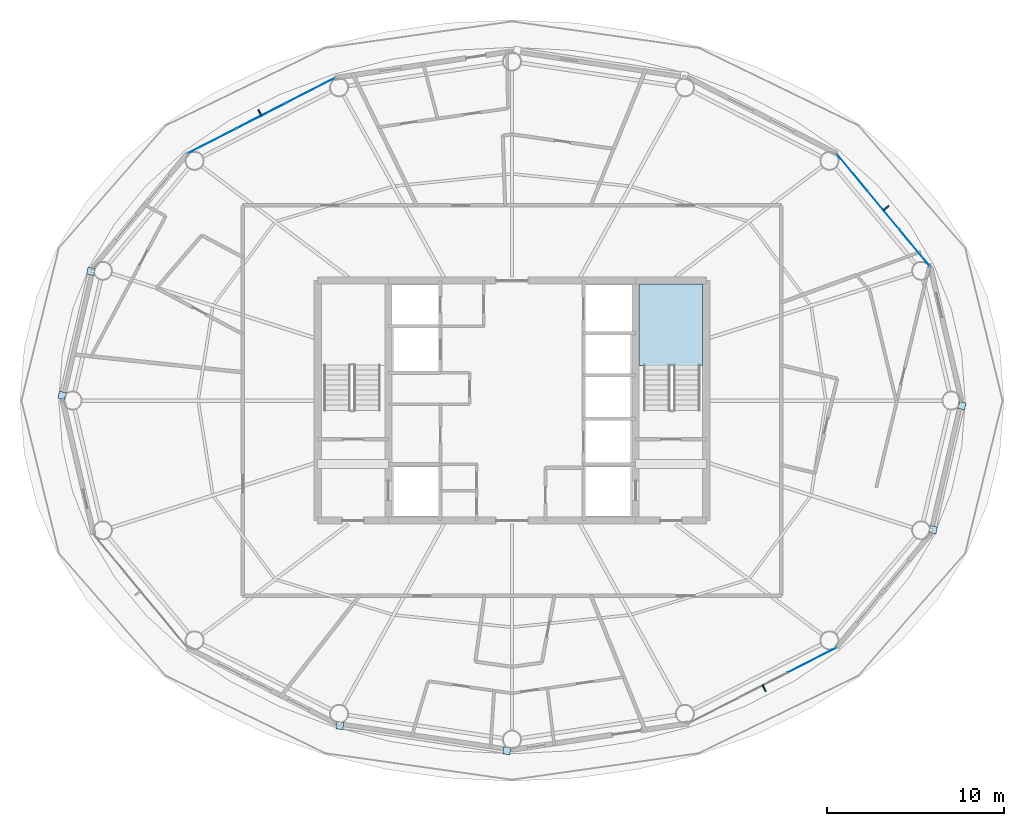
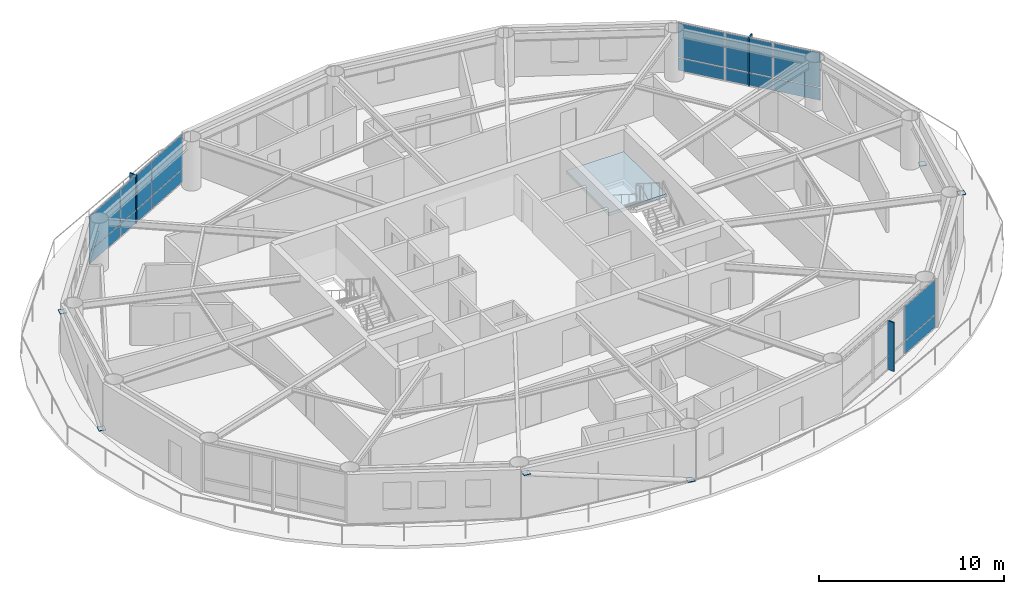
# One storey, part 17 of 24: 23 plates, 1 slab, 4 elements without a shape of their own.
"""IFC4 building model written with IfcOpenShell, lengths in metres."""

from ifc_helpers import new_model, si_unit, direction, frame, origin, origin_2d, place, context, subcontext, project, spatial, polyline, rectangle, outline, extrude, material, layer, layer_set, type_object, element, aggregate, save


model = new_model("IFC4")

# Units and contexts
model_context = context("Model", 3, precision=1e-05, world=origin(), true_north=direction((0.0, 1.0)))
body_context = subcontext(model_context, "Body", "Model", "MODEL_VIEW")
ifc_project = project(units=[si_unit("LENGTHUNIT", "METRE"), si_unit("AREAUNIT", "SQUARE_METRE"), si_unit("VOLUMEUNIT", "CUBIC_METRE"), si_unit("PLANEANGLEUNIT", "RADIAN"), si_unit("MASSUNIT", "GRAM", prefix="KILO")], contexts=[model_context])

# Site, building, storey
site_placement = place(None, origin())
site = spatial("IfcSite", under=ifc_project, at=site_placement, CompositionType="ELEMENT")
building_placement = place(site_placement, origin())
building = spatial("IfcBuilding", under=site, at=building_placement, Name="Sarneth Arch Tower", CompositionType="ELEMENT")
storey_placement = place(building_placement, frame((0.0, 0.0, 253.199951171875)))
storey = spatial("IfcBuildingStorey", under=building, at=storey_placement, Name="L65", CompositionType="ELEMENT", Elevation=253.199951171875)

# Curtain wall, plates
ifc_material_1 = material(Name="Anodised aluminium Type AA25 and solar-control low-e laminated IGU", Category="aluminium")
ifc_layer_1 = layer(ifc_material_1, 0.179931640625)
ifc_layer_set_1 = layer_set([ifc_layer_1], Name="Anodised aluminium Type AA25 and solar-control low-e laminated IGU")
curtain_wall_type = type_object("IfcCurtainWallType", Name="CW-RES-HIGH", PredefinedType="NOTDEFINED", material=ifc_layer_set_1)
curtain_wall_1_placement = place(storey_placement, origin())
curtain_wall_1 = element("IfcCurtainWall", 1, at=curtain_wall_1_placement, inside=storey, type_object=curtain_wall_type, Name="L65 Unitised curtain wall facet 02", PredefinedType="NOTDEFINED")
ifc_material_2 = material(Name="Solar-control low-e laminated IGU", Category="glass")
ifc_layer_2 = layer(ifc_material_2, 0.028076171875)
ifc_layer_set_2 = layer_set([ifc_layer_2], Name="Solar-control low-e laminated IGU")
plate_type_1 = type_object("IfcPlateType", Name="CW-PANEL", PredefinedType="CURTAIN_PANEL", material=ifc_layer_set_2)
plate_1_placement = place(storey_placement, frame((70.799072265625, 50.650634765625, 0.06005859375), z_axis=(0.0, 0.0, 1.0), x_axis=(-0.637610094184, 0.770359245933, 0.0)))
plate_1 = element("IfcPlate", 2, at=plate_1_placement, type_object=plate_type_1, Name="Curtain wall glazed vision pane CW-L65-F02/P00-00", PredefinedType="CURTAIN_PANEL", context=body_context, shape_type="SweptSolid", body=[
    extrude(rectangle(XDim=2.686767578125, YDim=0.028076171875, at=origin_2d()), origin(), (0.0, 0.0, 1.0), 0.81005859375),
])
plate_2_placement = place(storey_placement, frame((70.799072265625, 50.650634765625, 0.93017578125), z_axis=(0.0, 0.0, 1.0), x_axis=(-0.637610094184, 0.770359245933, 0.0)))
plate_2 = element("IfcPlate", 3, at=plate_2_placement, type_object=plate_type_1, Name="Curtain wall glazed vision pane CW-L65-F02/P00-01", PredefinedType="CURTAIN_PANEL", context=body_context, shape_type="SweptSolid", body=[
    extrude(rectangle(XDim=2.686767578125, YDim=0.028076171875, at=origin_2d()), origin(), (0.0, 0.0, 1.0), 2.260009765625),
])
plate_3_placement = place(storey_placement, frame((69.0380859375, 52.778076171875, 0.06005859375), z_axis=(0.0, 0.0, 1.0), x_axis=(-0.637610094184, 0.770359245933, 0.0)))
plate_3 = element("IfcPlate", 4, at=plate_3_placement, type_object=plate_type_1, Name="Curtain wall glazed vision pane CW-L65-F02/P01-00", PredefinedType="CURTAIN_PANEL", context=body_context, shape_type="SweptSolid", body=[
    extrude(rectangle(XDim=2.716552734375, YDim=0.028076171875, at=origin_2d()), origin(), (0.0, 0.0, 1.0), 0.81005859375),
])
plate_4_placement = place(storey_placement, frame((69.0380859375, 52.778076171875, 0.93017578125), z_axis=(0.0, 0.0, 1.0), x_axis=(-0.637610094184, 0.770359245933, 0.0)))
plate_4 = element("IfcPlate", 5, at=plate_4_placement, type_object=plate_type_1, Name="Curtain wall glazed vision pane CW-L65-F02/P01-01", PredefinedType="CURTAIN_PANEL", context=body_context, shape_type="SweptSolid", body=[
    extrude(rectangle(XDim=2.716552734375, YDim=0.028076171875, at=origin_2d()), origin(), (0.0, 0.0, 1.0), 2.260009765625),
])
plate_5_placement = place(storey_placement, frame((67.27734375, 54.905517578125, 0.06005859375), z_axis=(0.0, 0.0, 1.0), x_axis=(-0.637610094184, 0.770359245933, 0.0)))
plate_5 = element("IfcPlate", 6, at=plate_5_placement, type_object=plate_type_1, Name="Curtain wall glazed vision pane CW-L65-F02/P02-00", PredefinedType="CURTAIN_PANEL", context=body_context, shape_type="SweptSolid", body=[
    extrude(rectangle(XDim=2.686767578125, YDim=0.028076171875, at=origin_2d()), origin(), (0.0, 0.0, 1.0), 0.81005859375),
])
plate_6_placement = place(storey_placement, frame((67.27734375, 54.905517578125, 0.93017578125), z_axis=(0.0, 0.0, 1.0), x_axis=(-0.637610094184, 0.770359245933, 0.0)))
plate_6 = element("IfcPlate", 7, at=plate_6_placement, type_object=plate_type_1, Name="Curtain wall glazed vision pane CW-L65-F02/P02-01", PredefinedType="CURTAIN_PANEL", context=body_context, shape_type="SweptSolid", body=[
    extrude(rectangle(XDim=2.686767578125, YDim=0.028076171875, at=origin_2d()), origin(), (0.0, 0.0, 1.0), 2.260009765625),
])
aggregate(curtain_wall_1, [plate_1, plate_2, plate_3, plate_4, plate_5, plate_6])

curtain_wall_2_placement = place(storey_placement, origin())
curtain_wall_2 = element("IfcCurtainWall", 8, at=curtain_wall_2_placement, inside=storey, type_object=curtain_wall_type, Name="L65 Unitised curtain wall facet 06", PredefinedType="NOTDEFINED")
plate_7_placement = place(storey_placement, frame((36.5791015625, 59.552978515625, 0.06005859375), z_axis=(0.0, 0.0, 1.0), x_axis=(-0.890009540525, -0.455941901753, 0.0)))
plate_7 = element("IfcPlate", 9, at=plate_7_placement, type_object=plate_type_1, Name="Curtain wall glazed vision pane CW-L65-F06/P00-00", PredefinedType="CURTAIN_PANEL", context=body_context, shape_type="SweptSolid", body=[
    extrude(rectangle(XDim=3.044677734375, YDim=0.028076171875, at=origin_2d()), origin(), (0.0, 0.0, 1.0), 0.81005859375),
])
plate_8_placement = place(storey_placement, frame((36.5791015625, 59.552978515625, 0.93017578125), z_axis=(0.0, 0.0, 1.0), x_axis=(-0.890009540525, -0.455941901753, 0.0)))
plate_8 = element("IfcPlate", 10, at=plate_8_placement, type_object=plate_type_1, Name="Curtain wall glazed vision pane CW-L65-F06/P00-01", PredefinedType="CURTAIN_PANEL", context=body_context, shape_type="SweptSolid", body=[
    extrude(rectangle(XDim=3.044677734375, YDim=0.028076171875, at=origin_2d()), origin(), (0.0, 0.0, 1.0), 2.260009765625),
])
plate_9_placement = place(storey_placement, frame((33.802490234375, 58.13037109375, 0.06005859375), z_axis=(0.0, 0.0, 1.0), x_axis=(-0.890009540525, -0.455941901753, 0.0)))
plate_9 = element("IfcPlate", 11, at=plate_9_placement, type_object=plate_type_1, Name="Curtain wall glazed vision pane CW-L65-F06/P01-00", PredefinedType="CURTAIN_PANEL", context=body_context, shape_type="SweptSolid", body=[
    extrude(rectangle(XDim=3.07470703125, YDim=0.028076171875, at=origin_2d()), origin(), (0.0, 0.0, 1.0), 0.81005859375),
])
plate_10_placement = place(storey_placement, frame((33.802490234375, 58.13037109375, 0.93017578125), z_axis=(0.0, 0.0, 1.0), x_axis=(-0.890009540525, -0.455941901753, 0.0)))
plate_10 = element("IfcPlate", 12, at=plate_10_placement, type_object=plate_type_1, Name="Curtain wall glazed vision pane CW-L65-F06/P01-01", PredefinedType="CURTAIN_PANEL", context=body_context, shape_type="SweptSolid", body=[
    extrude(rectangle(XDim=3.07470703125, YDim=0.028076171875, at=origin_2d()), origin(), (0.0, 0.0, 1.0), 2.260009765625),
])
plate_11_placement = place(storey_placement, frame((31.02587890625, 56.7080078125, 0.06005859375), z_axis=(0.0, 0.0, 1.0), x_axis=(-0.890009540525, -0.455941901753, 0.0)))
plate_11 = element("IfcPlate", 13, at=plate_11_placement, type_object=plate_type_1, Name="Curtain wall glazed vision pane CW-L65-F06/P02-00", PredefinedType="CURTAIN_PANEL", context=body_context, shape_type="SweptSolid", body=[
    extrude(rectangle(XDim=3.044677734375, YDim=0.028076171875, at=origin_2d()), origin(), (0.0, 0.0, 1.0), 0.81005859375),
])
plate_12_placement = place(storey_placement, frame((31.02587890625, 56.7080078125, 0.93017578125), z_axis=(0.0, 0.0, 1.0), x_axis=(-0.890009540525, -0.455941901753, 0.0)))
plate_12 = element("IfcPlate", 14, at=plate_12_placement, type_object=plate_type_1, Name="Curtain wall glazed vision pane CW-L65-F06/P02-01", PredefinedType="CURTAIN_PANEL", context=body_context, shape_type="SweptSolid", body=[
    extrude(rectangle(XDim=3.044677734375, YDim=0.028076171875, at=origin_2d()), origin(), (0.0, 0.0, 1.0), 2.260009765625),
])
aggregate(curtain_wall_2, [plate_7, plate_8, plate_9, plate_10, plate_11, plate_12])

curtain_wall_3_placement = place(storey_placement, origin())
curtain_wall_3 = element("IfcCurtainWall", 15, at=curtain_wall_3_placement, inside=storey, type_object=curtain_wall_type, Name="L65 Unitised curtain wall facet 14", PredefinedType="NOTDEFINED")
plate_13_placement = place(storey_placement, frame((64.97412109375, 27.2919921875, 0.06005859375), z_axis=(0.0, 0.0, 1.0), x_axis=(0.890009540525, 0.455941901753, 0.0)))
plate_13 = element("IfcPlate", 16, at=plate_13_placement, type_object=plate_type_1, Name="Curtain wall glazed vision pane CW-L65-F14/P02-00", PredefinedType="CURTAIN_PANEL", context=body_context, shape_type="SweptSolid", body=[
    extrude(rectangle(XDim=3.044677734375, YDim=0.028076171875, at=origin_2d()), origin(), (0.0, 0.0, 1.0), 0.81005859375),
])
plate_14_placement = place(storey_placement, frame((64.97412109375, 27.2919921875, 0.93017578125), z_axis=(0.0, 0.0, 1.0), x_axis=(0.890009540525, 0.455941901753, 0.0)))
plate_14 = element("IfcPlate", 17, at=plate_14_placement, type_object=plate_type_1, Name="Curtain wall glazed vision pane CW-L65-F14/P02-01", PredefinedType="CURTAIN_PANEL", context=body_context, shape_type="SweptSolid", body=[
    extrude(rectangle(XDim=3.044677734375, YDim=0.028076171875, at=origin_2d()), origin(), (0.0, 0.0, 1.0), 2.260009765625),
])
aggregate(curtain_wall_3, [plate_13, plate_14])

# Plates
ifc_material_3 = material(Name="Steel S355", Category="steel")
ifc_layer_3 = layer(ifc_material_3, 0.035888671875)
ifc_layer_set_3 = layer_set([ifc_layer_3], Name="Steel S355")
plate_type_2 = type_object("IfcPlateType", Name="PLT-GUSSET-30", PredefinedType="SHEET", material=ifc_layer_set_3)
for number, where, z_axis, x_axis, name in (
    (18, (22.5234375, 42.292236328125, 0.001953125), (0.0, 0.0, 1.0), (-0.225461202458, -0.974252147129, 0.0), "Steel end cap plate GP-1"),
    (19, (24.148193359375, 49.3154296875, 2.90869140625), (0.0, 0.0, 1.0), (-0.225461202458, -0.974252147129, 0.0), "Steel end cap plate GP-1"),
    (20, (47.703369140625, 22.16455078125, 0.001953125), (0.0, 0.0, 1.0), (0.988860535448, -0.148845024885, 0.0), "Steel end cap plate GP-1"),
    (21, (38.245849609375, 23.588623046875, 2.90869140625), (0.0, 0.0, 1.0), (0.988860535448, -0.148845024885, 0.0), "Steel end cap plate GP-1"),
    (22, (73.4765625, 41.707763671875, 0.001953125), (0.0, 0.0, 1.0), (0.225461202458, 0.974252147129, 0.0), "Steel end cap plate GP-1"),
    (23, (71.851806640625, 34.6845703125, 2.90869140625), (0.0, 0.0, 1.0), (0.225461202458, 0.974252147129, 0.0), "Steel end cap plate GP-1"),
):
    element("IfcPlate", number, at=place(storey_placement, frame(where, z_axis=z_axis, x_axis=x_axis)), inside=storey, type_object=plate_type_2, Name=name, PredefinedType="SHEET", context=body_context, shape_type="SweptSolid", body=[
        extrude(rectangle(XDim=0.404052734375, YDim=0.404052734375, at=origin_2d()), origin(), (0.0, 0.0, 1.0), 0.035888671875),
    ])
ifc_material_4 = material(Name="Extruded glazed terracotta baguette fin on Aluminium 6063-T6 carrier", Category="masonry")
ifc_layer_4 = layer(ifc_material_4, 0.080078125)
ifc_layer_set_4 = layer_set([ifc_layer_4], Name="Extruded glazed terracotta baguette fin on Aluminium 6063-T6 carrier")
plate_type_3 = type_object("IfcPlateType", Name="SHADE-TERRA-FIN", PredefinedType="SHEET", material=ifc_layer_set_4)
for number, where, z_axis, x_axis, name in (
    (24, (69.169189453125, 52.886474609375, 0.010009765625), (0.0, 0.0, 1.0), (0.770401979567, 0.63755845997, 0.0), "L65 Terracotta vertical shading fin 02"),
    (25, (33.724853515625, 58.28173828125, 0.010009765625), (0.0, 0.0, 1.0), (-0.456010959102, 0.889974159838, 0.0), "L65 Terracotta vertical shading fin 06"),
    (26, (62.275146484375, 25.71826171875, 0.010009765625), (0.0, 0.0, 1.0), (0.456010959102, -0.889974159838, 0.0), "L65 Terracotta vertical shading fin 14"),
):
    element("IfcPlate", number, at=place(storey_placement, frame(where, z_axis=z_axis, x_axis=x_axis)), inside=storey, type_object=plate_type_3, Name=name, PredefinedType="SHEET", context=body_context, shape_type="SweptSolid", body=[
        extrude(rectangle(XDim=0.419921875, YDim=0.080078125, at=origin_2d()), origin(), (0.0, 0.0, 1.0), 3.22998046875),
    ])

# Stair, slab
ifc_material_5 = material(Name="Concrete C50/60", Category="concrete")
stair_type = type_object("IfcStairType", Name="STAIR-CORE-RC", PredefinedType="HALF_TURN_STAIR", material=ifc_material_5)
stair_placement = place(storey_placement, origin())
stair = element("IfcStair", 27, at=stair_placement, inside=storey, type_object=stair_type, Name="L65 Core Exit Stair 2", PredefinedType="HALF_TURN_STAIR")
ifc_material_6 = material(Name="Concrete C50/60", Category="concrete")
ifc_layer_5 = layer(ifc_material_6, 0.199951171875)
ifc_layer_set_5 = layer_set([ifc_layer_5], Name="Concrete C50/60")
slab_type = type_object("IfcSlabType", Name="SLAB-LANDING-200", PredefinedType="LANDING", material=ifc_layer_set_5)
slab_placement = place(storey_placement, frame((0.0, 0.0, 1.60009765625)))
slab = element("IfcSlab", 28, at=slab_placement, type_object=slab_type, Name="ST-2 landing 1", PredefinedType="LANDING", context=body_context, shape_type="SweptSolid", body=[
    extrude(outline(polyline([(55.199951171875, 43.985107421875), (58.800048828125, 43.985107421875), (58.800048828125, 48.60009765625), (55.199951171875, 48.60009765625), (55.199951171875, 43.985107421875)])), origin(), (0.0, 0.0, 1.0), 0.199951171875),
])
aggregate(stair, [slab])

save(model, "model.ifc")
